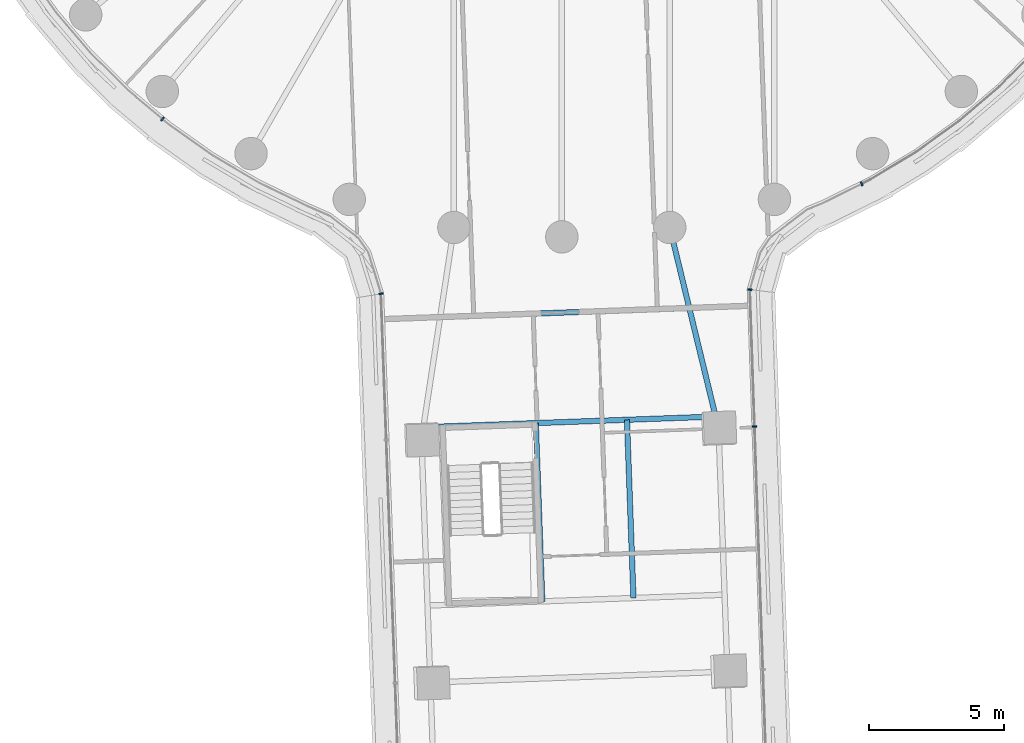
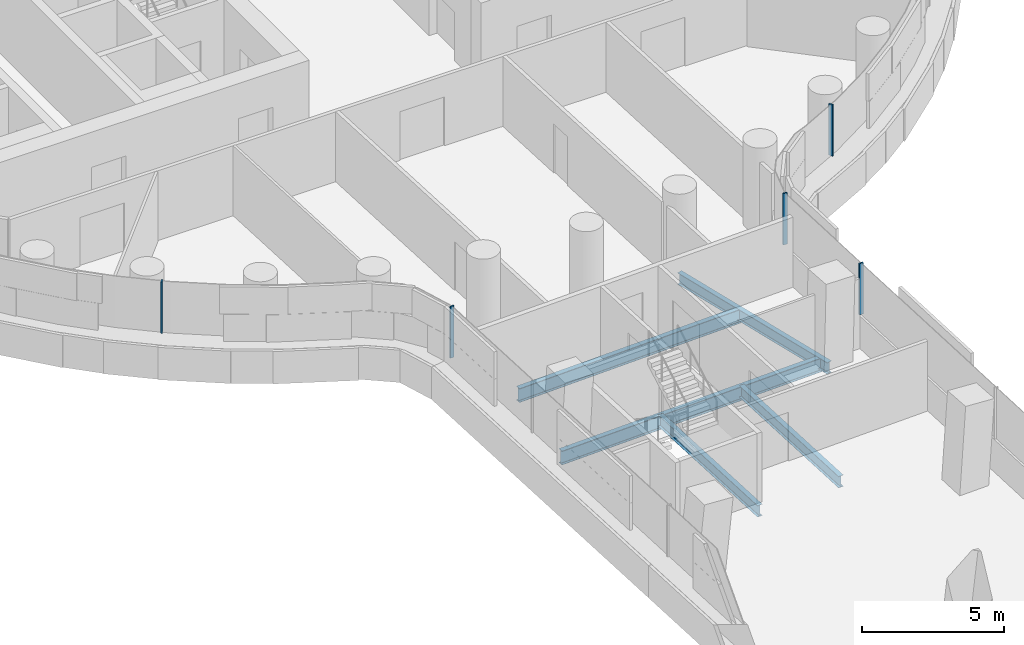
# One storey, part 3 of 31: 5 beams, 5 members, 4 elements without a shape of their own.
"""IFC4 building model written with IfcOpenShell, lengths in metres."""

from ifc_helpers import new_model, si_unit, direction, frame, origin, origin_2d, place, context, subcontext, project, spatial, rectangle, i_section, extrude, material, layer, layer_set, material_profile, profile_set, type_object, element, aggregate, save


model = new_model("IFC4")

# Units and contexts
model_context = context("Model", 3, precision=1e-05, world=origin(), true_north=direction((0.0, 1.0)))
body_context = subcontext(model_context, "Body", "Model", "MODEL_VIEW")
ifc_project = project(units=[si_unit("LENGTHUNIT", "METRE"), si_unit("AREAUNIT", "SQUARE_METRE"), si_unit("VOLUMEUNIT", "CUBIC_METRE"), si_unit("PLANEANGLEUNIT", "RADIAN"), si_unit("MASSUNIT", "GRAM", prefix="KILO")], contexts=[model_context])

# Site, building, storey
site_placement = place(None, origin())
site = spatial("IfcSite", under=ifc_project, at=site_placement, CompositionType="ELEMENT")
building_placement = place(site_placement, origin())
building = spatial("IfcBuilding", under=site, at=building_placement, Name="Tamarind Cross Interchange Tower", CompositionType="ELEMENT")
storey_placement = place(building_placement, frame((0.0, 0.0, 41.5)))
storey = spatial("IfcBuildingStorey", under=building, at=storey_placement, Name="L08", CompositionType="ELEMENT", Elevation=41.5)

# Beams
ifc_material_1 = material(Name="Steel Q355B", Category="steel")
ifc_material_profile_1 = material_profile(ifc_material_1, i_section(OverallWidth=0.198974609375, OverallDepth=0.49609375, WebThickness=0.009033203125, FlangeThickness=0.013916015625, FilletRadius=0.012939453125, at=origin_2d()), Name="HN 496x199x9x14")
ifc_profile_set_1 = profile_set([ifc_material_profile_1], Name="Steel Q355B")
beam_type_1 = type_object("IfcBeamType", Name="Composite beam HN 496x199x9x14 Q355B", PredefinedType="BEAM", material=ifc_profile_set_1)
beam_1_placement = place(storey_placement, frame((5.799072265625, -30.093994140625, -0.387939453125), z_axis=(-0.235689431593, 0.971828427159, 0.0), x_axis=(-0.971828427159, -0.235689431593, 0.0)))
element("IfcBeam", 1, at=beam_1_placement, inside=storey, type_object=beam_type_1, Name="Beam S-linkep", PredefinedType="BEAM", context=body_context, shape_type="SweptSolid", body=[
    extrude(i_section(OverallWidth=0.198974609375, OverallDepth=0.49609375, WebThickness=0.009033203125, FlangeThickness=0.013916015625, FilletRadius=0.012939453125, at=origin_2d()), origin(), (0.0, 0.0, 1.0), 7.6591796875),
])
beam_2_placement = place(storey_placement, frame((-0.962890625, -29.890380859375, -0.387939453125), z_axis=(0.036472607638, -0.999334653103, 0.0), x_axis=(0.999334653103, 0.036472607638, 0.0)))
element("IfcBeam", 2, at=beam_2_placement, inside=storey, type_object=beam_type_1, Name="Beam S-tr1", PredefinedType="BEAM", context=body_context, shape_type="SweptSolid", body=[
    extrude(i_section(OverallWidth=0.198974609375, OverallDepth=0.49609375, WebThickness=0.009033203125, FlangeThickness=0.013916015625, FilletRadius=0.012939453125, at=origin_2d()), origin(), (0.0, 0.0, 1.0), 6.60009765625),
])
beam_3_placement = place(storey_placement, frame((2.409912109375, -29.767333984375, -0.387939453125), z_axis=(0.036437013225, -0.999335951553, 0.0), x_axis=(0.999335951553, 0.036437013225, 0.0)))
element("IfcBeam", 3, at=beam_3_placement, inside=storey, type_object=beam_type_1, Name="Beam S-stripp", PredefinedType="BEAM", context=body_context, shape_type="SweptSolid", body=[
    extrude(i_section(OverallWidth=0.198974609375, OverallDepth=0.49609375, WebThickness=0.009033203125, FlangeThickness=0.013916015625, FilletRadius=0.012939453125, at=origin_2d()), origin(), (0.0, 0.0, 1.0), 6.599853515625),
])
ifc_material_profile_2 = material_profile(ifc_material_1, i_section(OverallWidth=0.199951171875, OverallDepth=0.60009765625, WebThickness=0.010986328125, FlangeThickness=0.01708984375, FilletRadius=0.012939453125, at=origin_2d()), Name="HN 600x200x11x17")
ifc_profile_set_2 = profile_set([ifc_material_profile_2], Name="Steel Q355B")
beam_type_2 = type_object("IfcBeamType", Name="Composite beam HN 600x200x11x17 Q355B", PredefinedType="BEAM", material=ifc_profile_set_2)
beam_4_placement = place(storey_placement, frame((-5.12451171875, -30.042236328125, -0.43994140625), z_axis=(0.999335290808, 0.036455130589, 0.0), x_axis=(-0.036455130589, 0.999335290808, 0.0)))
element("IfcBeam", 4, at=beam_4_placement, inside=storey, type_object=beam_type_2, Name="Beam S-x298", PredefinedType="BEAM", context=body_context, shape_type="SweptSolid", body=[
    extrude(i_section(OverallWidth=0.199951171875, OverallDepth=0.60009765625, WebThickness=0.010986328125, FlangeThickness=0.01708984375, FilletRadius=0.012939453125, at=origin_2d()), origin(), (0.0, 0.0, 1.0), 10.822265625),
])
beam_5_placement = place(storey_placement, frame((-4.501220703125, -25.966796875, -0.43994140625), z_axis=(0.999334630534, 0.036473226001, 0.0), x_axis=(-0.036473226001, 0.999334630534, 0.0)))
element("IfcBeam", 5, at=beam_5_placement, inside=storey, type_object=beam_type_2, Name="Beam S-x258", PredefinedType="BEAM", context=body_context, shape_type="SweptSolid", body=[
    extrude(i_section(OverallWidth=0.199951171875, OverallDepth=0.60009765625, WebThickness=0.010986328125, FlangeThickness=0.01708984375, FilletRadius=0.012939453125, at=origin_2d()), origin(), (0.0, 0.0, 1.0), 9.223876953125),
])

# Curtain wall, member
ifc_material_2 = material(Name="Aluminium 6063-T6", Category="aluminium")
ifc_layer = layer(ifc_material_2, 0.159912109375)
ifc_layer_set = layer_set([ifc_layer], Name="Aluminium 6063-T6")
curtain_wall_type = type_object("IfcCurtainWallType", Name="Office curtain wall, 9.0 m bays", PredefinedType="NOTDEFINED", material=ifc_layer_set)
curtain_wall_1_placement = place(storey_placement, origin())
curtain_wall_1 = element("IfcCurtainWall", 6, at=curtain_wall_1_placement, inside=storey, type_object=curtain_wall_type, Name="CWS-L08-02", PredefinedType="NOTDEFINED")
ifc_material_profile_3 = material_profile(ifc_material_2, rectangle(XDim=0.06005859375, YDim=0.159912109375, at=origin_2d()), Name="Mullion CW1")
ifc_profile_set_3 = profile_set([ifc_material_profile_3], Name="Aluminium 6063-T6")
member_type = type_object("IfcMemberType", Name="Mullion CW1", PredefinedType="MULLION", material=ifc_profile_set_3)
member_1_placement = place(storey_placement, frame((-14.7734375, -18.640625, 1.39990234375), z_axis=(0.0, 0.0, 1.0), x_axis=(0.765858396687, -0.643009266048, 0.0)))
member_1 = element("IfcMember", 7, at=member_1_placement, type_object=member_type, Name="CWM-L08-02-02", PredefinedType="MULLION", context=body_context, shape_type="SweptSolid", body=[
    extrude(rectangle(XDim=0.06005859375, YDim=0.159912109375, at=origin_2d()), origin(), (0.0, 0.0, 1.0), 2.210205078125),
])
aggregate(curtain_wall_1, [member_1])

curtain_wall_2_placement = place(storey_placement, origin())
curtain_wall_2 = element("IfcCurtainWall", 8, at=curtain_wall_2_placement, inside=storey, type_object=curtain_wall_type, Name="CWS-L08-03", PredefinedType="NOTDEFINED")
member_2_placement = place(storey_placement, frame((-6.69140625, -25.1025390625, 1.39990234375), z_axis=(0.0, 0.0, 1.0), x_axis=(0.167649805724, -0.985846612126, 0.0)))
member_2 = element("IfcMember", 9, at=member_2_placement, type_object=member_type, Name="CWM-L08-03-00", PredefinedType="MULLION", context=body_context, shape_type="SweptSolid", body=[
    extrude(rectangle(XDim=0.06005859375, YDim=0.159912109375, at=origin_2d()), origin(), (0.0, 0.0, 1.0), 2.210205078125),
])
aggregate(curtain_wall_2, [member_2])

curtain_wall_3_placement = place(storey_placement, origin())
curtain_wall_3 = element("IfcCurtainWall", 10, at=curtain_wall_3_placement, inside=storey, type_object=curtain_wall_type, Name="CWS-L08-05", PredefinedType="NOTDEFINED")
member_3_placement = place(storey_placement, frame((7.13330078125, -30.01513671875, 1.39990234375), z_axis=(0.0, 0.0, 1.0), x_axis=(-0.034342684894, 0.999410116016, 0.0)))
member_3 = element("IfcMember", 11, at=member_3_placement, type_object=member_type, Name="CWM-L08-05-02", PredefinedType="MULLION", context=body_context, shape_type="SweptSolid", body=[
    extrude(rectangle(XDim=0.06005859375, YDim=0.159912109375, at=origin_2d()), origin(), (0.0, 0.0, 1.0), 2.210205078125),
])
aggregate(curtain_wall_3, [member_3])

# Curtain wall, members
curtain_wall_4_placement = place(storey_placement, origin())
curtain_wall_4 = element("IfcCurtainWall", 12, at=curtain_wall_4_placement, inside=storey, type_object=curtain_wall_type, Name="CWS-L08-06", PredefinedType="NOTDEFINED")
member_4_placement = place(storey_placement, frame((6.959228515625, -24.949462890625, 1.39990234375), z_axis=(0.0, 0.0, 1.0), x_axis=(0.118713959875, 0.992928494772, 0.0)))
member_4 = element("IfcMember", 13, at=member_4_placement, type_object=member_type, Name="CWM-L08-06-00", PredefinedType="MULLION", context=body_context, shape_type="SweptSolid", body=[
    extrude(rectangle(XDim=0.06005859375, YDim=0.159912109375, at=origin_2d()), origin(), (0.0, 0.0, 1.0), 2.210205078125),
])
member_5_placement = place(storey_placement, frame((11.097900390625, -21.035888671875, 1.39990234375), z_axis=(0.0, 0.0, 1.0), x_axis=(0.896492548518, 0.443058811505, 0.0)))
member_5 = element("IfcMember", 14, at=member_5_placement, type_object=member_type, Name="CWM-L08-06-01", PredefinedType="MULLION", context=body_context, shape_type="SweptSolid", body=[
    extrude(rectangle(XDim=0.06005859375, YDim=0.159912109375, at=origin_2d()), origin(), (0.0, 0.0, 1.0), 2.210205078125),
])
aggregate(curtain_wall_4, [member_4, member_5])

save(model, "model.ifc")
